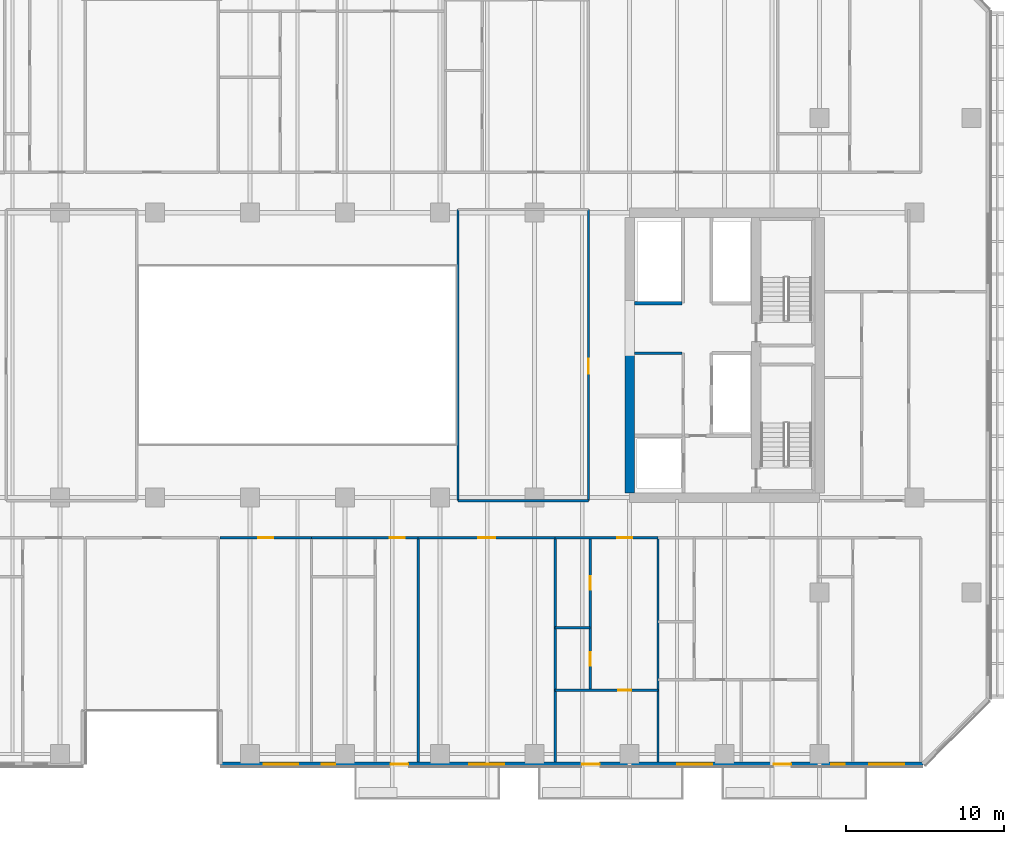
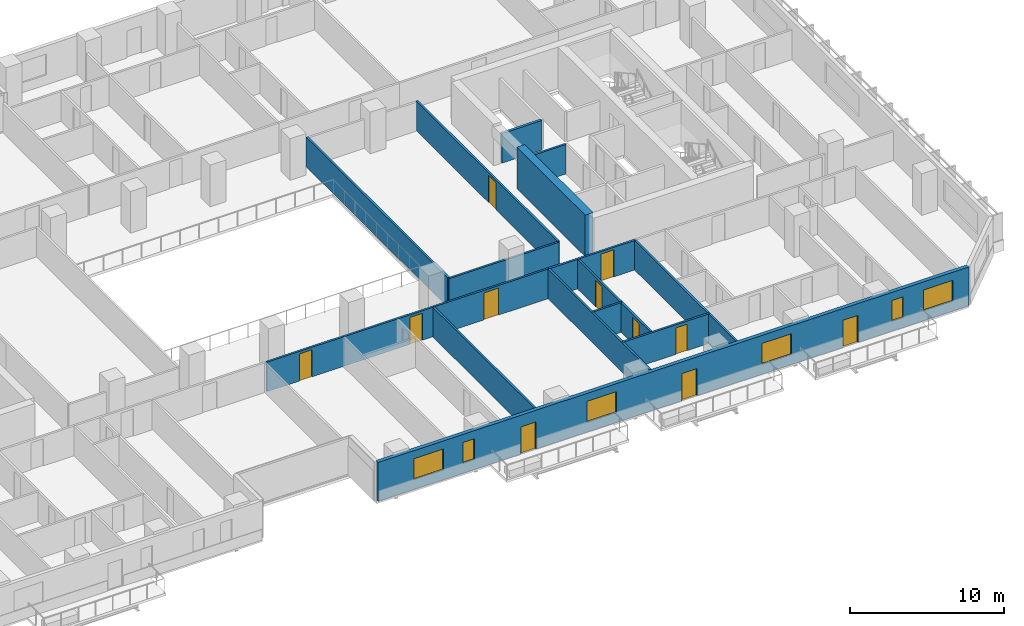
# One storey, part 12 of 26: 17 walls, 11 doors, 6 windows, 17 openings.
"""IFC4 building model written with IfcOpenShell, lengths in metres."""

from ifc_helpers import new_model, si_unit, direction, frame, frame_2d, origin, place, context, subcontext, project, spatial, rectangle, extrude, material, layer, layer_set, type_object, element, fill, save


model = new_model("IFC4")

# Units and contexts
model_context = context("Model", 3, precision=1e-05, world=origin(), true_north=direction((0.0, 1.0)))
body_context = subcontext(model_context, "Body", "Model", "MODEL_VIEW")
ifc_project = project(units=[si_unit("LENGTHUNIT", "METRE"), si_unit("AREAUNIT", "SQUARE_METRE"), si_unit("VOLUMEUNIT", "CUBIC_METRE"), si_unit("PLANEANGLEUNIT", "RADIAN"), si_unit("MASSUNIT", "GRAM", prefix="KILO")], contexts=[model_context])

# Site, building, storey
site_placement = place(None, origin())
site = spatial("IfcSite", under=ifc_project, at=site_placement, CompositionType="ELEMENT")
building_placement = place(site_placement, origin())
building = spatial("IfcBuilding", under=site, at=building_placement, Name="Tanjung Sevakor Pilgrim Tower", CompositionType="ELEMENT")
storey_placement = place(building_placement, frame((0.0, 0.0, 48.840087890625)))
storey = spatial("IfcBuildingStorey", under=building, at=storey_placement, Name="L13", CompositionType="ELEMENT", Elevation=48.840087890625)

# Walls
ifc_material_1 = material(Name="Concrete C60/75", Category="concrete")
ifc_layer_1 = layer(ifc_material_1, 0.60009765625)
ifc_layer_set_1 = layer_set([ifc_layer_1], Name="WALL-CW-600")
wall_type_1 = type_object("IfcWallType", Name="WALL-CW-600", PredefinedType="SHEAR", material=ifc_layer_set_1)
wall_1_placement = place(storey_placement, frame((78.0, 24.89990234375, 0.0), z_axis=(0.0, 0.0, 1.0), x_axis=(0.0, 1.0, 0.0)))
element("IfcWall", 1, at=wall_1_placement, inside=storey, type_object=wall_type_1, Name="L13 E Core Inner Shear Wall South", PredefinedType="SHEAR", context=body_context, shape_type="SweptSolid", body=[
    extrude(rectangle(XDim=8.900146484375, YDim=0.60009765625, at=frame_2d((4.4501953125, 0.0))), origin(), (0.0, 0.0, 1.0), 3.2998046875),
])
ifc_material_2 = material(Name="Concrete C40/50", Category="concrete")
ifc_layer_2 = layer(ifc_material_2, 0.14990234375)
ifc_layer_set_2 = layer_set([ifc_layer_2], Name="WT-COMP-150")
wall_type_2 = type_object("IfcWallType", Name="WT-COMP-150", PredefinedType="SOLIDWALL", material=ifc_layer_set_2)
wall_2_placement = place(storey_placement, frame((78.320068359375, 33.719970703125, 0.0), z_axis=(0.0, 0.0, 1.0), x_axis=(1.0, 0.0, 0.0)))
element("IfcWall", 2, at=wall_2_placement, inside=storey, type_object=wall_type_2, Name="L13 Partition IW-L13-015", PredefinedType="SOLIDWALL", context=body_context, shape_type="SweptSolid", body=[
    extrude(rectangle(XDim=3.0, YDim=0.14990234375, at=frame_2d((1.5, 0.0))), origin(), (0.0, 0.0, 1.0), 2.35009765625),
])
wall_3_placement = place(storey_placement, frame((67.14990234375, 24.39990234375, 0.0), z_axis=(0.0, 0.0, 1.0), x_axis=(1.0, 0.0, 0.0)))
element("IfcWall", 3, at=wall_3_placement, inside=storey, type_object=wall_type_2, Name="L13 Partition IW-L13-025", PredefinedType="SOLIDWALL", context=body_context, shape_type="SweptSolid", body=[
    extrude(rectangle(XDim=8.25, YDim=0.14990234375, at=frame_2d((4.125, 0.0))), origin(), (0.0, 0.0, 1.0), 2.295166015625),
])
wall_4_placement = place(storey_placement, frame((67.14990234375, 24.39990234375, 0.0), z_axis=(0.0, 0.0, 1.0), x_axis=(0.0, 1.0, 0.0)))
element("IfcWall", 4, at=wall_4_placement, inside=storey, type_object=wall_type_2, Name="L13 Partition IW-L13-027", PredefinedType="SOLIDWALL", context=body_context, shape_type="SweptSolid", body=[
    extrude(rectangle(XDim=18.400146484375, YDim=0.14990234375, at=frame_2d((9.2001953125, 0.0))), origin(), (0.0, 0.0, 1.0), 2.35009765625),
])

# Wall, opening, door
wall_5_placement = place(storey_placement, frame((75.39990234375, 24.39990234375, 0.0), z_axis=(0.0, 0.0, 1.0), x_axis=(0.0, 1.0, 0.0)))
wall_5 = element("IfcWall", 5, at=wall_5_placement, inside=storey, type_object=wall_type_2, Name="L13 Partition IW-L13-028", PredefinedType="SOLIDWALL", context=body_context, shape_type="SweptSolid", body=[
    extrude(rectangle(XDim=18.400146484375, YDim=0.14990234375, at=frame_2d((9.2001953125, 0.0))), origin(), (0.0, 0.0, 1.0), 2.35009765625),
])
opening_1_placement = place(wall_5_placement, frame((8.02490234375, 0.0, 0.0)))
opening_1 = element("IfcOpeningElement", 6, at=opening_1_placement, cuts=wall_5, Name="Opening ID-RM1", PredefinedType="OPENING", context=body_context, shape_type="SweptSolid", body=[
    extrude(rectangle(XDim=0.949951171875, YDim=2.14990234375, at=frame_2d((0.47509765625, 1.074951171875))), frame((0.0, 0.0849609375, 0.0), z_axis=(0.0, -1.0, 0.0), x_axis=(1.0, 0.0, 0.0)), (0.0, 0.0, 1.0), 0.169921875),
])
ifc_material_3 = material(Name="Hardwood Timber", Category="wood")
door_type_1 = type_object("IfcDoorType", Name="DT-INT-950", OperationType="NOTDEFINED", PredefinedType="DOOR", material=ifc_material_3)
door_1_placement = place(opening_1_placement, origin())
door_1 = element("IfcDoor", 7, at=door_1_placement, inside=storey, type_object=door_type_1, Name="L13 Central East Room Door", OperationType="SINGLE_SWING_RIGHT", OverallHeight=2.14990234375, OverallWidth=0.949951171875, PredefinedType="DOOR", context=body_context, shape_type="SweptSolid", body=[
    extrude(rectangle(XDim=0.949951171875, YDim=2.14990234375, at=frame_2d((0.47509765625, 1.074951171875))), frame((0.0, 0.02490234375, 0.0), z_axis=(0.0, -1.0, 0.0), x_axis=(1.0, 0.0, 0.0)), (0.0, 0.0, 1.0), 0.050048828125),
])
fill(opening_1, door_1)

wall_6_placement = place(storey_placement, frame((52.1201171875, 22.050048828125, 0.0), z_axis=(0.0, 0.0, 1.0), x_axis=(1.0, 0.0, 0.0)))
wall_6 = element("IfcWall", 8, at=wall_6_placement, inside=storey, type_object=wall_type_2, Name="L13 Partition IW-L13-056", PredefinedType="SOLIDWALL", context=body_context, shape_type="SweptSolid", body=[
    extrude(rectangle(XDim=5.775634765625, YDim=0.14990234375, at=frame_2d((2.8876953125, 0.0))), origin(), (0.0, 0.0, 1.0), 2.35009765625),
])
opening_2_placement = place(wall_6_placement, frame((2.412841796875, 0.0, 0.0)))
opening_2 = element("IfcOpeningElement", 9, at=opening_2_placement, cuts=wall_6, Name="Opening ID-FD2", PredefinedType="OPENING", context=body_context, shape_type="SweptSolid", body=[
    extrude(rectangle(XDim=0.949951171875, YDim=2.14990234375, at=frame_2d((0.47509765625, 1.074951171875))), frame((0.0, 0.0849609375, 0.0), z_axis=(0.0, -1.0, 0.0), x_axis=(1.0, 0.0, 0.0)), (0.0, 0.0, 1.0), 0.169921875),
])
ifc_material_4 = material(Name="Fire-Rated Timber", Category="wood")
door_type_2 = type_object("IfcDoorType", Name="DT-FIRE-950", OperationType="NOTDEFINED", PredefinedType="DOOR", material=ifc_material_4)
door_2_placement = place(opening_2_placement, origin())
door_2 = element("IfcDoor", 10, at=door_2_placement, inside=storey, type_object=door_type_2, Name="Housekeeping Pantry Door", OperationType="SINGLE_SWING_LEFT", OverallHeight=2.14990234375, OverallWidth=0.949951171875, PredefinedType="DOOR", context=body_context, shape_type="SweptSolid", body=[
    extrude(rectangle(XDim=0.949951171875, YDim=2.14990234375, at=frame_2d((0.47509765625, 1.074951171875))), frame((0.0, 0.02490234375, 0.0), z_axis=(0.0, -1.0, 0.0), x_axis=(1.0, 0.0, 0.0)), (0.0, 0.0, 1.0), 0.050048828125),
])
fill(opening_2, door_2)

# Wall
wall_7_placement = place(storey_placement, frame((64.634033203125, 7.8798828125, 0.0), z_axis=(0.0, 0.0, 1.0), x_axis=(0.0, 1.0, 0.0)))
element("IfcWall", 11, at=wall_7_placement, inside=storey, type_object=wall_type_2, Name="L13 Partition IW-L13-057", PredefinedType="SOLIDWALL", context=body_context, shape_type="SweptSolid", body=[
    extrude(rectangle(XDim=14.170166015625, YDim=0.14990234375, at=frame_2d((7.0849609375, 0.0))), origin(), (0.0, 0.0, 1.0), 2.35009765625),
])

# Wall, opening, door
wall_8_placement = place(storey_placement, frame((57.895751953125, 22.050048828125, 0.0), z_axis=(0.0, 0.0, 1.0), x_axis=(1.0, 0.0, 0.0)))
wall_8 = element("IfcWall", 12, at=wall_8_placement, inside=storey, type_object=wall_type_2, Name="L13 Partition IW-L13-060", PredefinedType="SOLIDWALL", context=body_context, shape_type="SweptSolid", body=[
    extrude(rectangle(XDim=6.73828125, YDim=0.14990234375, at=frame_2d((3.369140625, 0.0))), origin(), (0.0, 0.0, 1.0), 2.35009765625),
])
opening_3_placement = place(wall_8_placement, frame((4.9462890625, 0.0, 0.0)))
opening_3 = element("IfcOpeningElement", 13, at=opening_3_placement, cuts=wall_8, Name="Opening ID-FD2", PredefinedType="OPENING", context=body_context, shape_type="SweptSolid", body=[
    extrude(rectangle(XDim=0.949951171875, YDim=2.14990234375, at=frame_2d((0.47509765625, 1.074951171875))), frame((0.0, 0.0849609375, 0.0), z_axis=(0.0, -1.0, 0.0), x_axis=(1.0, 0.0, 0.0)), (0.0, 0.0, 1.0), 0.169921875),
])
door_3_placement = place(opening_3_placement, origin())
door_3 = element("IfcDoor", 14, at=door_3_placement, inside=storey, type_object=door_type_2, Name="Hostel Quad Entrance", OperationType="SINGLE_SWING_RIGHT", OverallHeight=2.14990234375, OverallWidth=0.949951171875, PredefinedType="DOOR", context=body_context, shape_type="SweptSolid", body=[
    extrude(rectangle(XDim=0.949951171875, YDim=2.14990234375, at=frame_2d((0.47509765625, 1.074951171875))), frame((0.0, 0.02490234375, 0.0), z_axis=(0.0, -1.0, 0.0), x_axis=(1.0, 0.0, 0.0)), (0.0, 0.0, 1.0), 0.050048828125),
])
fill(opening_3, door_3)

# Wall
wall_9_placement = place(storey_placement, frame((73.297607421875, 7.8798828125, 0.0), z_axis=(0.0, 0.0, 1.0), x_axis=(0.0, 1.0, 0.0)))
element("IfcWall", 15, at=wall_9_placement, inside=storey, type_object=wall_type_2, Name="L13 Partition IW-L13-061", PredefinedType="SOLIDWALL", context=body_context, shape_type="SweptSolid", body=[
    extrude(rectangle(XDim=14.170166015625, YDim=0.14990234375, at=frame_2d((7.0849609375, 0.0))), origin(), (0.0, 0.0, 1.0), 2.35009765625),
])

# Wall, opening, door
wall_10_placement = place(storey_placement, frame((64.634033203125, 22.050048828125, 0.0), z_axis=(0.0, 0.0, 1.0), x_axis=(1.0, 0.0, 0.0)))
wall_10 = element("IfcWall", 16, at=wall_10_placement, inside=storey, type_object=wall_type_2, Name="L13 Partition IW-L13-062", PredefinedType="SOLIDWALL", context=body_context, shape_type="SweptSolid", body=[
    extrude(rectangle(XDim=8.66357421875, YDim=0.14990234375, at=frame_2d((4.331787109375, 0.0))), origin(), (0.0, 0.0, 1.0), 2.35009765625),
])
opening_4_placement = place(wall_10_placement, frame((3.78173828125, 0.0, 0.0)))
opening_4 = element("IfcOpeningElement", 17, at=opening_4_placement, cuts=wall_10, Name="Opening ID-FD0", PredefinedType="OPENING", context=body_context, shape_type="SweptSolid", body=[
    extrude(rectangle(XDim=1.10009765625, YDim=2.14990234375, at=frame_2d((0.550048828125, 1.074951171875))), frame((0.0, 0.0849609375, 0.0), z_axis=(0.0, -1.0, 0.0), x_axis=(1.0, 0.0, 0.0)), (0.0, 0.0, 1.0), 0.169921875),
])
ifc_material_5 = material(Name="Fire-Rated Steel S355J2", Category="steel")
door_type_3 = type_object("IfcDoorType", Name="DT-FIRE-1100", OperationType="NOTDEFINED", PredefinedType="DOOR", material=ifc_material_5)
door_4_placement = place(opening_4_placement, origin())
door_4 = element("IfcDoor", 18, at=door_4_placement, inside=storey, type_object=door_type_3, Name="Seminar Room Door", OperationType="SINGLE_SWING_LEFT", OverallHeight=2.14990234375, OverallWidth=1.10009765625, PredefinedType="DOOR", context=body_context, shape_type="SweptSolid", body=[
    extrude(rectangle(XDim=1.10009765625, YDim=2.14990234375, at=frame_2d((0.550048828125, 1.074951171875))), frame((0.0, 0.02490234375, 0.0), z_axis=(0.0, -1.0, 0.0), x_axis=(1.0, 0.0, 0.0)), (0.0, 0.0, 1.0), 0.050048828125),
])
fill(opening_4, door_4)

# Wall
wall_11_placement = place(storey_placement, frame((79.795166015625, 7.8798828125, 0.0), z_axis=(0.0, 0.0, 1.0), x_axis=(0.0, 1.0, 0.0)))
element("IfcWall", 19, at=wall_11_placement, inside=storey, type_object=wall_type_2, Name="L13 Partition IW-L13-063", PredefinedType="SOLIDWALL", context=body_context, shape_type="SweptSolid", body=[
    extrude(rectangle(XDim=14.170166015625, YDim=0.14990234375, at=frame_2d((7.0849609375, 0.0))), origin(), (0.0, 0.0, 1.0), 2.35009765625),
])

# Wall, opening, door
wall_12_placement = place(storey_placement, frame((73.297607421875, 22.050048828125, 0.0), z_axis=(0.0, 0.0, 1.0), x_axis=(1.0, 0.0, 0.0)))
wall_12 = element("IfcWall", 20, at=wall_12_placement, inside=storey, type_object=wall_type_2, Name="L13 Partition IW-L13-067", PredefinedType="SOLIDWALL", context=body_context, shape_type="SweptSolid", body=[
    extrude(rectangle(XDim=6.49755859375, YDim=0.14990234375, at=frame_2d((3.248779296875, 0.0))), origin(), (0.0, 0.0, 1.0), 2.35009765625),
])
opening_5_placement = place(wall_12_placement, frame((3.91845703125, 0.0, 0.0)))
opening_5 = element("IfcOpeningElement", 21, at=opening_5_placement, cuts=wall_12, Name="Opening ID-FD2", PredefinedType="OPENING", context=body_context, shape_type="SweptSolid", body=[
    extrude(rectangle(XDim=0.949951171875, YDim=2.14990234375, at=frame_2d((0.47509765625, 1.074951171875))), frame((0.0, 0.0849609375, 0.0), z_axis=(0.0, -1.0, 0.0), x_axis=(1.0, 0.0, 0.0)), (0.0, 0.0, 1.0), 0.169921875),
])
door_5_placement = place(opening_5_placement, origin())
door_5 = element("IfcDoor", 22, at=door_5_placement, inside=storey, type_object=door_type_2, Name="Residence Entrance", OperationType="SINGLE_SWING_LEFT", OverallHeight=2.14990234375, OverallWidth=0.949951171875, PredefinedType="DOOR", context=body_context, shape_type="SweptSolid", body=[
    extrude(rectangle(XDim=0.949951171875, YDim=2.14990234375, at=frame_2d((0.47509765625, 1.074951171875))), frame((0.0, 0.02490234375, 0.0), z_axis=(0.0, -1.0, 0.0), x_axis=(1.0, 0.0, 0.0)), (0.0, 0.0, 1.0), 0.050048828125),
])
fill(opening_5, door_5)

# Wall, openings, doors, windows
ifc_material_6 = material(Name="Precast concrete C45/55", Category="concrete")
ifc_layer_3 = layer(ifc_material_6, 0.280029296875)
ifc_layer_set_3 = layer_set([ifc_layer_3], Name="WT-EW-STN2")
wall_type_3 = type_object("IfcWallType", Name="WT-EW-STN2", PredefinedType="SOLIDWALL", material=ifc_layer_set_3)
wall_13_placement = place(storey_placement, frame((52.139892578125, 7.739990234375, 0.0), z_axis=(0.0, 0.0, 1.0), x_axis=(1.0, 0.0, 0.0)))
wall_13 = element("IfcWall", 23, at=wall_13_placement, inside=storey, type_object=wall_type_3, Name="L13 MAIN Exterior Wall 5", PredefinedType="SOLIDWALL", context=body_context, shape_type="SweptSolid", body=[
    extrude(rectangle(XDim=44.402099609375, YDim=0.280029296875, at=frame_2d((22.201171875, 0.0))), origin(), (0.0, 0.0, 1.0), 3.080078125),
])
opening_6_placement = place(wall_13_placement, frame((10.760009765625, 0.0, 0.0)))
opening_6 = element("IfcOpeningElement", 24, at=opening_6_placement, cuts=wall_13, Name="Opening ED-BAL-1100", PredefinedType="OPENING", context=body_context, shape_type="SweptSolid", body=[
    extrude(rectangle(XDim=1.10009765625, YDim=2.14990234375, at=frame_2d((0.550048828125, 1.074951171875))), frame((0.0, 0.14990234375, 0.0), z_axis=(0.0, -1.0, 0.0), x_axis=(1.0, 0.0, 0.0)), (0.0, 0.0, 1.0), 0.300048828125),
])
opening_7_placement = place(wall_13_placement, frame((22.860107421875, 0.0, 0.0)))
opening_7 = element("IfcOpeningElement", 25, at=opening_7_placement, cuts=wall_13, Name="Opening ED-BAL-1100", PredefinedType="OPENING", context=body_context, shape_type="SweptSolid", body=[
    extrude(rectangle(XDim=1.10009765625, YDim=2.14990234375, at=frame_2d((0.550048828125, 1.074951171875))), frame((0.0, 0.14990234375, 0.0), z_axis=(0.0, -1.0, 0.0), x_axis=(1.0, 0.0, 0.0)), (0.0, 0.0, 1.0), 0.300048828125),
])
opening_8_placement = place(wall_13_placement, frame((34.9599609375, 0.0, 0.0)))
opening_8 = element("IfcOpeningElement", 26, at=opening_8_placement, cuts=wall_13, Name="Opening ED-BAL-1100", PredefinedType="OPENING", context=body_context, shape_type="SweptSolid", body=[
    extrude(rectangle(XDim=1.10009765625, YDim=2.14990234375, at=frame_2d((0.550048828125, 1.074951171875))), frame((0.0, 0.14990234375, 0.0), z_axis=(0.0, -1.0, 0.0), x_axis=(1.0, 0.0, 0.0)), (0.0, 0.0, 1.0), 0.300048828125),
])
opening_9_placement = place(wall_13_placement, frame((2.727783203125, 0.0, 0.780029296875)))
opening_9 = element("IfcOpeningElement", 27, at=opening_9_placement, cuts=wall_13, Name="Opening WN-Z1-1660", PredefinedType="OPENING", context=body_context, shape_type="SweptSolid", body=[
    extrude(rectangle(XDim=2.199951171875, YDim=1.659912109375, at=frame_2d((1.10009765625, 0.830078125))), frame((0.0, 0.14990234375, 0.0), z_axis=(0.0, -1.0, 0.0), x_axis=(1.0, 0.0, 0.0)), (0.0, 0.0, 1.0), 0.300048828125),
])
opening_10_placement = place(wall_13_placement, frame((6.392822265625, 0.0, 0.780029296875)))
opening_10 = element("IfcOpeningElement", 28, at=opening_10_placement, cuts=wall_13, Name="Opening WN-SLM", PredefinedType="OPENING", context=body_context, shape_type="SweptSolid", body=[
    extrude(rectangle(XDim=0.85009765625, YDim=1.64990234375, at=frame_2d((0.425048828125, 0.824951171875))), frame((0.0, 0.14990234375, 0.0), z_axis=(0.0, -1.0, 0.0), x_axis=(1.0, 0.0, 0.0)), (0.0, 0.0, 1.0), 0.300048828125),
])
opening_11_placement = place(wall_13_placement, frame((15.7255859375, 0.0, 0.780029296875)))
opening_11 = element("IfcOpeningElement", 29, at=opening_11_placement, cuts=wall_13, Name="Opening WN-Z1-1660", PredefinedType="OPENING", context=body_context, shape_type="SweptSolid", body=[
    extrude(rectangle(XDim=2.199951171875, YDim=1.659912109375, at=frame_2d((1.10009765625, 0.830078125))), frame((0.0, 0.14990234375, 0.0), z_axis=(0.0, -1.0, 0.0), x_axis=(1.0, 0.0, 0.0)), (0.0, 0.0, 1.0), 0.300048828125),
])
opening_12_placement = place(wall_13_placement, frame((28.873046875, 0.0, 0.780029296875)))
opening_12 = element("IfcOpeningElement", 30, at=opening_12_placement, cuts=wall_13, Name="Opening WN-Z1-1660", PredefinedType="OPENING", context=body_context, shape_type="SweptSolid", body=[
    extrude(rectangle(XDim=2.199951171875, YDim=1.659912109375, at=frame_2d((1.10009765625, 0.830078125))), frame((0.0, 0.14990234375, 0.0), z_axis=(0.0, -1.0, 0.0), x_axis=(1.0, 0.0, 0.0)), (0.0, 0.0, 1.0), 0.300048828125),
])
opening_13_placement = place(wall_13_placement, frame((38.612060546875, 0.0, 0.780029296875)))
opening_13 = element("IfcOpeningElement", 31, at=opening_13_placement, cuts=wall_13, Name="Opening WN-SLM", PredefinedType="OPENING", context=body_context, shape_type="SweptSolid", body=[
    extrude(rectangle(XDim=0.85009765625, YDim=1.64990234375, at=frame_2d((0.425048828125, 0.824951171875))), frame((0.0, 0.14990234375, 0.0), z_axis=(0.0, -1.0, 0.0), x_axis=(1.0, 0.0, 0.0)), (0.0, 0.0, 1.0), 0.300048828125),
])
opening_14_placement = place(wall_13_placement, frame((41.005859375, 0.0, 0.780029296875)))
opening_14 = element("IfcOpeningElement", 32, at=opening_14_placement, cuts=wall_13, Name="Opening WN-Z1-1660", PredefinedType="OPENING", context=body_context, shape_type="SweptSolid", body=[
    extrude(rectangle(XDim=2.199951171875, YDim=1.659912109375, at=frame_2d((1.10009765625, 0.830078125))), frame((0.0, 0.14990234375, 0.0), z_axis=(0.0, -1.0, 0.0), x_axis=(1.0, 0.0, 0.0)), (0.0, 0.0, 1.0), 0.300048828125),
])
ifc_material_7 = material(Name="Anodised Aluminium and Laminated Glass", Category="aluminium")
door_type_4 = type_object("IfcDoorType", Name="DTYP-ED-BAL-1100", OperationType="NOTDEFINED", PredefinedType="DOOR", material=ifc_material_7)
door_6_placement = place(opening_6_placement, frame((1.10009765625, 0.0, 0.0), z_axis=(0.0, 0.0, 1.0), x_axis=(-1.0, 0.0, 0.0)))
door_6 = element("IfcDoor", 33, at=door_6_placement, inside=storey, type_object=door_type_4, Name="L13 Balcony Door MAIN-S2", OperationType="SINGLE_SWING_LEFT", OverallHeight=2.14990234375, OverallWidth=1.10009765625, PredefinedType="DOOR", context=body_context, shape_type="SweptSolid", body=[
    extrude(rectangle(XDim=1.10009765625, YDim=2.14990234375, at=frame_2d((0.550048828125, 1.074951171875))), frame((0.0, 0.02490234375, 0.0), z_axis=(0.0, -1.0, 0.0), x_axis=(1.0, 0.0, 0.0)), (0.0, 0.0, 1.0), 0.050048828125),
])
fill(opening_6, door_6)
door_7_placement = place(opening_7_placement, frame((1.10009765625, 0.0, 0.0), z_axis=(0.0, 0.0, 1.0), x_axis=(-1.0, 0.0, 0.0)))
door_7 = element("IfcDoor", 34, at=door_7_placement, inside=storey, type_object=door_type_4, Name="L13 Balcony Door MAIN-S3", OperationType="SINGLE_SWING_RIGHT", OverallHeight=2.14990234375, OverallWidth=1.10009765625, PredefinedType="DOOR", context=body_context, shape_type="SweptSolid", body=[
    extrude(rectangle(XDim=1.10009765625, YDim=2.14990234375, at=frame_2d((0.550048828125, 1.074951171875))), frame((0.0, 0.02490234375, 0.0), z_axis=(0.0, -1.0, 0.0), x_axis=(1.0, 0.0, 0.0)), (0.0, 0.0, 1.0), 0.050048828125),
])
fill(opening_7, door_7)
door_8_placement = place(opening_8_placement, frame((1.10009765625, 0.0, 0.0), z_axis=(0.0, 0.0, 1.0), x_axis=(-1.0, 0.0, 0.0)))
door_8 = element("IfcDoor", 35, at=door_8_placement, inside=storey, type_object=door_type_4, Name="L13 Balcony Door MAIN-S4", OperationType="SINGLE_SWING_LEFT", OverallHeight=2.14990234375, OverallWidth=1.10009765625, PredefinedType="DOOR", context=body_context, shape_type="SweptSolid", body=[
    extrude(rectangle(XDim=1.10009765625, YDim=2.14990234375, at=frame_2d((0.550048828125, 1.074951171875))), frame((0.0, 0.02490234375, 0.0), z_axis=(0.0, -1.0, 0.0), x_axis=(1.0, 0.0, 0.0)), (0.0, 0.0, 1.0), 0.050048828125),
])
fill(opening_8, door_8)
ifc_material_8 = material(Name="Thermally Broken Aluminium and Low-E Glass", Category="aluminium")
window_type_1 = type_object("IfcWindowType", Name="WTYP-WN-SLM", PartitioningType="SINGLE_PANEL", PredefinedType="WINDOW", material=ifc_material_8)
window_1_placement = place(opening_10_placement, origin())
window_1 = element("IfcWindow", 36, at=window_1_placement, inside=storey, type_object=window_type_1, Name="L13 Facade Window 02", OverallHeight=1.64990234375, OverallWidth=0.85009765625, PartitioningType="SINGLE_PANEL", PredefinedType="WINDOW", context=body_context, shape_type="SweptSolid", body=[
    extrude(rectangle(XDim=0.85009765625, YDim=1.64990234375, at=frame_2d((0.425048828125, 0.824951171875))), frame((0.0, 0.030029296875, 0.0), z_axis=(0.0, -1.0, 0.0), x_axis=(1.0, 0.0, 0.0)), (0.0, 0.0, 1.0), 0.06005859375),
])
fill(opening_10, window_1)
window_2_placement = place(opening_13_placement, origin())
window_2 = element("IfcWindow", 37, at=window_2_placement, inside=storey, type_object=window_type_1, Name="L13 Facade Window 05", OverallHeight=1.64990234375, OverallWidth=0.85009765625, PartitioningType="SINGLE_PANEL", PredefinedType="WINDOW", context=body_context, shape_type="SweptSolid", body=[
    extrude(rectangle(XDim=0.85009765625, YDim=1.64990234375, at=frame_2d((0.425048828125, 0.824951171875))), frame((0.0, 0.030029296875, 0.0), z_axis=(0.0, -1.0, 0.0), x_axis=(1.0, 0.0, 0.0)), (0.0, 0.0, 1.0), 0.06005859375),
])
fill(opening_13, window_2)
ifc_material_9 = material(Name="Thermally Broken Aluminium and Low-E Glass", Category="aluminium")
window_type_2 = type_object("IfcWindowType", Name="WTYP-WN-Z1-1660", PartitioningType="DOUBLE_PANEL_VERTICAL", PredefinedType="WINDOW", material=ifc_material_9)
window_3_placement = place(opening_9_placement, origin())
window_3 = element("IfcWindow", 38, at=window_3_placement, inside=storey, type_object=window_type_2, Name="L13 Facade Window 01", OverallHeight=1.659912109375, OverallWidth=2.199951171875, PartitioningType="SINGLE_PANEL", PredefinedType="WINDOW", context=body_context, shape_type="SweptSolid", body=[
    extrude(rectangle(XDim=2.199951171875, YDim=1.659912109375, at=frame_2d((1.10009765625, 0.830078125))), frame((0.0, 0.030029296875, 0.0), z_axis=(0.0, -1.0, 0.0), x_axis=(1.0, 0.0, 0.0)), (0.0, 0.0, 1.0), 0.06005859375),
])
fill(opening_9, window_3)
window_4_placement = place(opening_11_placement, origin())
window_4 = element("IfcWindow", 39, at=window_4_placement, inside=storey, type_object=window_type_2, Name="L13 Facade Window 03", OverallHeight=1.659912109375, OverallWidth=2.199951171875, PartitioningType="SINGLE_PANEL", PredefinedType="WINDOW", context=body_context, shape_type="SweptSolid", body=[
    extrude(rectangle(XDim=2.199951171875, YDim=1.659912109375, at=frame_2d((1.10009765625, 0.830078125))), frame((0.0, 0.030029296875, 0.0), z_axis=(0.0, -1.0, 0.0), x_axis=(1.0, 0.0, 0.0)), (0.0, 0.0, 1.0), 0.06005859375),
])
fill(opening_11, window_4)
window_5_placement = place(opening_12_placement, origin())
window_5 = element("IfcWindow", 40, at=window_5_placement, inside=storey, type_object=window_type_2, Name="L13 Facade Window 04", OverallHeight=1.659912109375, OverallWidth=2.199951171875, PartitioningType="SINGLE_PANEL", PredefinedType="WINDOW", context=body_context, shape_type="SweptSolid", body=[
    extrude(rectangle(XDim=2.199951171875, YDim=1.659912109375, at=frame_2d((1.10009765625, 0.830078125))), frame((0.0, 0.030029296875, 0.0), z_axis=(0.0, -1.0, 0.0), x_axis=(1.0, 0.0, 0.0)), (0.0, 0.0, 1.0), 0.06005859375),
])
fill(opening_12, window_5)
window_6_placement = place(opening_14_placement, origin())
window_6 = element("IfcWindow", 41, at=window_6_placement, inside=storey, type_object=window_type_2, Name="L13 Facade Window 06", OverallHeight=1.659912109375, OverallWidth=2.199951171875, PartitioningType="SINGLE_PANEL", PredefinedType="WINDOW", context=body_context, shape_type="SweptSolid", body=[
    extrude(rectangle(XDim=2.199951171875, YDim=1.659912109375, at=frame_2d((1.10009765625, 0.830078125))), frame((0.0, 0.030029296875, 0.0), z_axis=(0.0, -1.0, 0.0), x_axis=(1.0, 0.0, 0.0)), (0.0, 0.0, 1.0), 0.06005859375),
])
fill(opening_14, window_6)

# Walls
ifc_material_10 = material(Name="Concrete C40/50", Category="concrete")
ifc_layer_4 = layer(ifc_material_10, 0.199951171875)
ifc_layer_set_4 = layer_set([ifc_layer_4], Name="WT-FPRT-200")
wall_type_4 = type_object("IfcWallType", Name="WT-FPRT-200", PredefinedType="SOLIDWALL", material=ifc_layer_set_4)
wall_14_placement = place(storey_placement, frame((78.320068359375, 36.8798828125, 0.0), z_axis=(0.0, 0.0, 1.0), x_axis=(1.0, 0.0, 0.0)))
element("IfcWall", 42, at=wall_14_placement, inside=storey, type_object=wall_type_4, Name="L13 Partition IW-L13-019", PredefinedType="SOLIDWALL", context=body_context, shape_type="SweptSolid", body=[
    extrude(rectangle(XDim=3.0, YDim=0.199951171875, at=frame_2d((1.5, 0.0))), origin(), (0.0, 0.0, 1.0), 2.35009765625),
])
ifc_material_11 = material(Name="Gypsum Board Partition", Category="gypsum board")
ifc_layer_5 = layer(ifc_material_11, 0.14990234375)
ifc_layer_set_5 = layer_set([ifc_layer_5], Name="WT-PART-150")
wall_type_5 = type_object("IfcWallType", Name="WT-PART-150", PredefinedType="PARTITIONING", material=ifc_layer_set_5)
wall_15_placement = place(storey_placement, frame((73.297607421875, 16.368408203125, 0.0), z_axis=(0.0, 0.0, 1.0), x_axis=(1.0, 0.0, 0.0)))
element("IfcWall", 43, at=wall_15_placement, inside=storey, type_object=wall_type_5, Name="L13 Partition IW-L13-064", PredefinedType="PARTITIONING", context=body_context, shape_type="SweptSolid", body=[
    extrude(rectangle(XDim=2.208984375, YDim=0.14990234375, at=frame_2d((1.1044921875, 0.0))), origin(), (0.0, 0.0, 1.0), 2.35009765625),
])

# Wall, openings, doors
wall_16_placement = place(storey_placement, frame((75.506591796875, 12.420166015625, 0.0), z_axis=(0.0, 0.0, 1.0), x_axis=(0.0, 1.0, 0.0)))
wall_16 = element("IfcWall", 44, at=wall_16_placement, inside=storey, type_object=wall_type_5, Name="L13 Partition IW-L13-065", PredefinedType="PARTITIONING", context=body_context, shape_type="SweptSolid", body=[
    extrude(rectangle(XDim=9.6298828125, YDim=0.14990234375, at=frame_2d((4.81494140625, 0.0))), origin(), (0.0, 0.0, 1.0), 2.35009765625),
])
opening_15_placement = place(wall_16_placement, frame((1.54931640625, 0.0, 0.0)))
opening_15 = element("IfcOpeningElement", 45, at=opening_15_placement, cuts=wall_16, Name="Opening ID-WC1", PredefinedType="OPENING", context=body_context, shape_type="SweptSolid", body=[
    extrude(rectangle(XDim=0.85009765625, YDim=2.10009765625, at=frame_2d((0.425048828125, 1.050048828125))), frame((0.0, 0.0849609375, 0.0), z_axis=(0.0, -1.0, 0.0), x_axis=(1.0, 0.0, 0.0)), (0.0, 0.0, 1.0), 0.169921875),
])
opening_16_placement = place(wall_16_placement, frame((6.364013671875, 0.0, 0.0)))
opening_16 = element("IfcOpeningElement", 46, at=opening_16_placement, cuts=wall_16, Name="Opening ID-WC1", PredefinedType="OPENING", context=body_context, shape_type="SweptSolid", body=[
    extrude(rectangle(XDim=0.85009765625, YDim=2.10009765625, at=frame_2d((0.425048828125, 1.050048828125))), frame((0.0, 0.0849609375, 0.0), z_axis=(0.0, -1.0, 0.0), x_axis=(1.0, 0.0, 0.0)), (0.0, 0.0, 1.0), 0.169921875),
])
ifc_material_12 = material(Name="Moisture-Resistant Timber", Category="wood")
door_type_5 = type_object("IfcDoorType", Name="DT-INT-850", OperationType="NOTDEFINED", PredefinedType="DOOR", material=ifc_material_12)
door_9_placement = place(opening_15_placement, origin())
door_9 = element("IfcDoor", 47, at=door_9_placement, inside=storey, type_object=door_type_5, Name="Residence Bathroom Door", OperationType="SINGLE_SWING_RIGHT", OverallHeight=2.10009765625, OverallWidth=0.85009765625, PredefinedType="DOOR", context=body_context, shape_type="SweptSolid", body=[
    extrude(rectangle(XDim=0.85009765625, YDim=2.10009765625, at=frame_2d((0.425048828125, 1.050048828125))), frame((0.0, 0.02490234375, 0.0), z_axis=(0.0, -1.0, 0.0), x_axis=(1.0, 0.0, 0.0)), (0.0, 0.0, 1.0), 0.050048828125),
])
fill(opening_15, door_9)
door_10_placement = place(opening_16_placement, origin())
door_10 = element("IfcDoor", 48, at=door_10_placement, inside=storey, type_object=door_type_5, Name="Residence Kitchenette Door", OperationType="SINGLE_SWING_LEFT", OverallHeight=2.10009765625, OverallWidth=0.85009765625, PredefinedType="DOOR", context=body_context, shape_type="SweptSolid", body=[
    extrude(rectangle(XDim=0.85009765625, YDim=2.10009765625, at=frame_2d((0.425048828125, 1.050048828125))), frame((0.0, 0.02490234375, 0.0), z_axis=(0.0, -1.0, 0.0), x_axis=(1.0, 0.0, 0.0)), (0.0, 0.0, 1.0), 0.050048828125),
])
fill(opening_16, door_10)

# Wall, opening, door
wall_17_placement = place(storey_placement, frame((73.297607421875, 12.420166015625, 0.0), z_axis=(0.0, 0.0, 1.0), x_axis=(1.0, 0.0, 0.0)))
wall_17 = element("IfcWall", 49, at=wall_17_placement, inside=storey, type_object=wall_type_5, Name="L13 Partition IW-L13-066", PredefinedType="PARTITIONING", context=body_context, shape_type="SweptSolid", body=[
    extrude(rectangle(XDim=6.49755859375, YDim=0.14990234375, at=frame_2d((3.248779296875, 0.0))), origin(), (0.0, 0.0, 1.0), 2.35009765625),
])
opening_17_placement = place(wall_17_placement, frame((3.968505859375, 0.0, 0.0)))
opening_17 = element("IfcOpeningElement", 50, at=opening_17_placement, cuts=wall_17, Name="Opening ID-WC1", PredefinedType="OPENING", context=body_context, shape_type="SweptSolid", body=[
    extrude(rectangle(XDim=0.85009765625, YDim=2.10009765625, at=frame_2d((0.425048828125, 1.050048828125))), frame((0.0, 0.0849609375, 0.0), z_axis=(0.0, -1.0, 0.0), x_axis=(1.0, 0.0, 0.0)), (0.0, 0.0, 1.0), 0.169921875),
])
door_11_placement = place(opening_17_placement, origin())
door_11 = element("IfcDoor", 51, at=door_11_placement, inside=storey, type_object=door_type_5, Name="Residence Bedroom Door", OperationType="SINGLE_SWING_RIGHT", OverallHeight=2.10009765625, OverallWidth=0.85009765625, PredefinedType="DOOR", context=body_context, shape_type="SweptSolid", body=[
    extrude(rectangle(XDim=0.85009765625, YDim=2.10009765625, at=frame_2d((0.425048828125, 1.050048828125))), frame((0.0, 0.02490234375, 0.0), z_axis=(0.0, -1.0, 0.0), x_axis=(1.0, 0.0, 0.0)), (0.0, 0.0, 1.0), 0.050048828125),
])
fill(opening_17, door_11)

save(model, "model.ifc")
